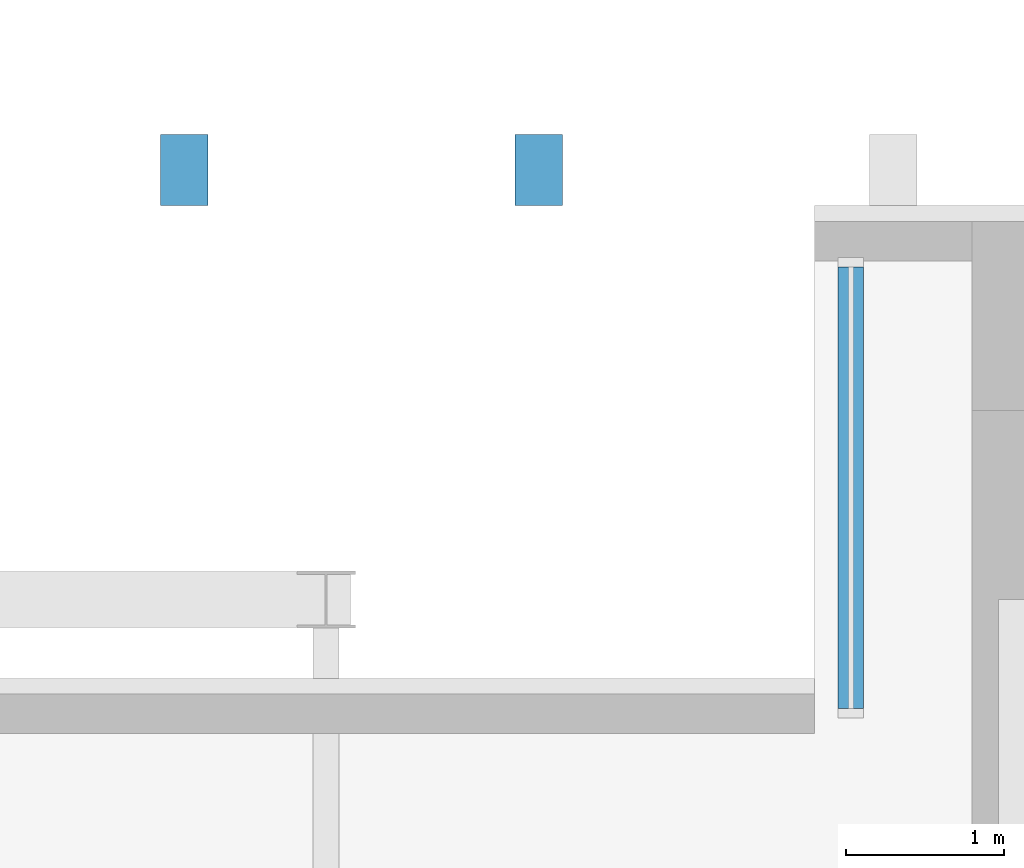
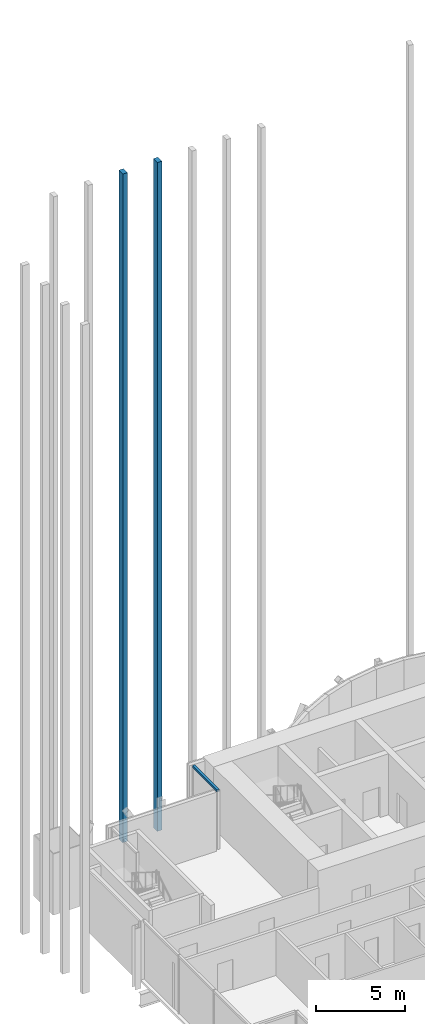
# One storey, part 12 of 28: 3 members, 2 elements without a shape of their own.
"""IFC4 building model written with IfcOpenShell, lengths in metres."""

from ifc_helpers import new_model, si_unit, direction, frame, origin, origin_2d, place, context, subcontext, project, spatial, rectangle, extrude, material, material_profile, profile_set, type_object, element, aggregate, save


model = new_model("IFC4")

# Units and contexts
model_context = context("Model", 3, precision=1e-05, world=origin(), true_north=direction((0.0, 1.0)))
body_context = subcontext(model_context, "Body", "Model", "MODEL_VIEW")
ifc_project = project(units=[si_unit("LENGTHUNIT", "METRE"), si_unit("AREAUNIT", "SQUARE_METRE"), si_unit("VOLUMEUNIT", "CUBIC_METRE"), si_unit("PLANEANGLEUNIT", "RADIAN"), si_unit("MASSUNIT", "GRAM", prefix="KILO")], contexts=[model_context])

# Site, building, storey
site_placement = place(None, origin())
site = spatial("IfcSite", under=ifc_project, at=site_placement, CompositionType="ELEMENT")
building_placement = place(site_placement, origin())
building = spatial("IfcBuilding", under=site, at=building_placement, Name="Bicima Exchange Tower", CompositionType="ELEMENT")
storey_placement = place(building_placement, frame((0.0, 0.0, 241.39990234375)))
storey = spatial("IfcBuildingStorey", under=building, at=storey_placement, Name="L54", CompositionType="ELEMENT", Elevation=241.39990234375)

# Curtain wall, member
ifc_material = material(Name="Anodised bronze aluminium", Category="aluminium")
curtain_wall_type_1 = type_object("IfcCurtainWallType", Name="Front glass wall", PredefinedType="NOTDEFINED", material=ifc_material)
curtain_wall_1_placement = place(storey_placement, origin())
curtain_wall_1 = element("IfcCurtainWall", 1, at=curtain_wall_1_placement, inside=storey, type_object=curtain_wall_type_1, Name="Front glass wall L54 run 4", PredefinedType="NOTDEFINED")
ifc_material_profile_1 = material_profile(ifc_material, rectangle(XDim=0.159912109375, YDim=0.139892578125, at=origin_2d()))
ifc_profile_set_1 = profile_set([ifc_material_profile_1], Name="Anodised bronze aluminium")
member_type_1 = type_object("IfcMemberType", Name="Front glass wall transom 140 x 160", PredefinedType="USERDEFINED", material=ifc_profile_set_1)
member_1_placement = place(storey_placement, frame((-22.77001953125, -0.2900390625, 3.97998046875), z_axis=(0.0, -1.0, 0.0), x_axis=(1.0, 0.0, 0.0)))
member_1 = element("IfcMember", 2, at=member_1_placement, type_object=member_type_1, Name="Front glass wall transom 1.1", ObjectType="TRANSOM", PredefinedType="USERDEFINED", context=body_context, shape_type="SweptSolid", body=[
    extrude(rectangle(XDim=0.159912109375, YDim=0.139892578125, at=origin_2d()), origin(), (0.0, 0.0, 1.0), 2.800048828125),
])
aggregate(curtain_wall_1, [member_1])

# Curtain wall, members
curtain_wall_type_2 = type_object("IfcCurtainWallType", Name="Rear blade screen", PredefinedType="NOTDEFINED", material=ifc_material)
curtain_wall_2_placement = place(storey_placement, origin())
curtain_wall_2 = element("IfcCurtainWall", 3, at=curtain_wall_2_placement, inside=storey, type_object=curtain_wall_type_2, Name="Rear blade screen L54-L64 W", PredefinedType="NOTDEFINED")
ifc_material_profile_2 = material_profile(ifc_material, rectangle(XDim=0.449951171875, YDim=0.300048828125, at=origin_2d()))
ifc_profile_set_2 = profile_set([ifc_material_profile_2], Name="Anodised bronze aluminium")
member_type_2 = type_object("IfcMemberType", Name="Rear blade fin 450 x 300", PredefinedType="USERDEFINED", material=ifc_profile_set_2)
member_2_placement = place(storey_placement, frame((-27.0, 0.324951171875, 0.0), z_axis=(0.0, 0.0, 1.0), x_axis=(0.0, 1.0, 0.0)))
member_2 = element("IfcMember", 4, at=member_2_placement, type_object=member_type_2, Name="Rear blade fin L54-L64 4", ObjectType="FIN", PredefinedType="USERDEFINED", context=body_context, shape_type="SweptSolid", body=[
    extrude(rectangle(XDim=0.449951171875, YDim=0.300048828125, at=origin_2d()), origin(), (0.0, 0.0, 1.0), 46.0),
])
member_3_placement = place(storey_placement, frame((-24.75, 0.324951171875, 0.0), z_axis=(0.0, 0.0, 1.0), x_axis=(0.0, 1.0, 0.0)))
member_3 = element("IfcMember", 5, at=member_3_placement, type_object=member_type_2, Name="Rear blade fin L54-L64 5", ObjectType="FIN", PredefinedType="USERDEFINED", context=body_context, shape_type="SweptSolid", body=[
    extrude(rectangle(XDim=0.449951171875, YDim=0.300048828125, at=origin_2d()), origin(), (0.0, 0.0, 1.0), 46.0),
])
aggregate(curtain_wall_2, [member_2, member_3])

save(model, "model.ifc")
